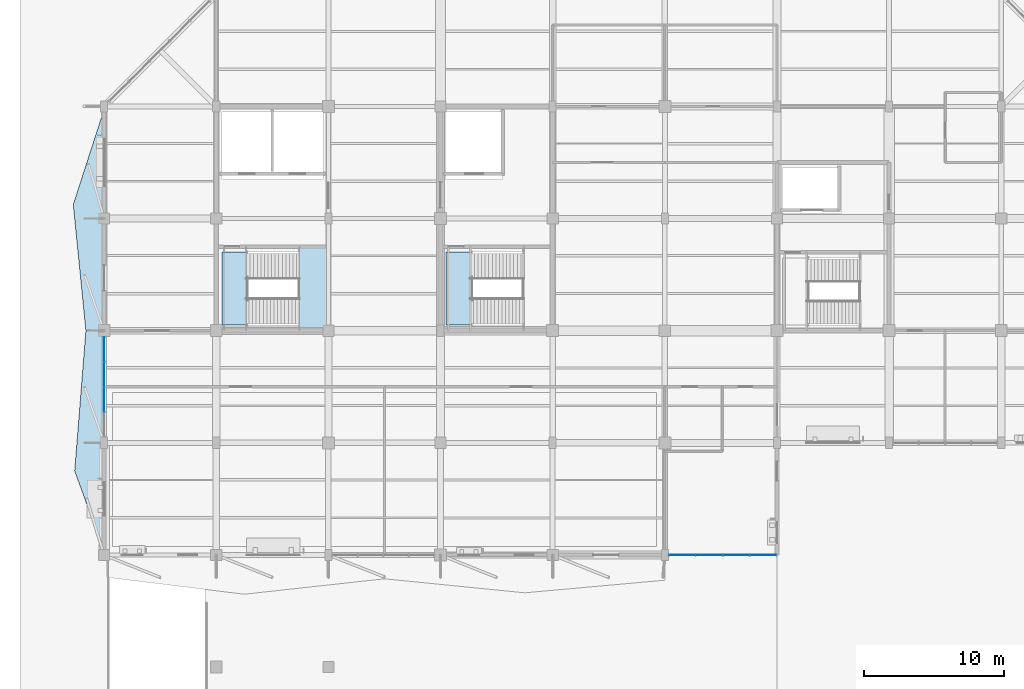
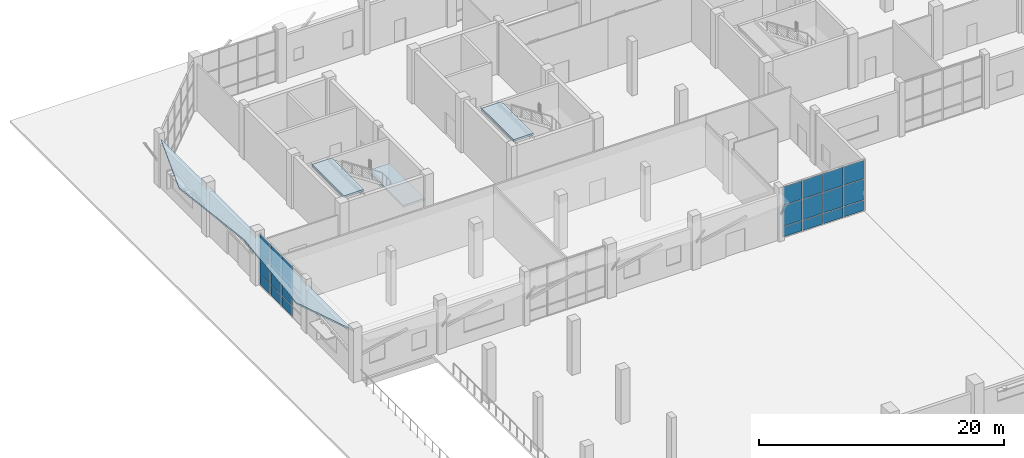
# One storey, part 75 of 123: 21 plates, 4 slabs, 4 elements without a shape of their own.
"""IFC4 building model written with IfcOpenShell, lengths in metres."""

from ifc_helpers import new_model, si_unit, direction, frame, origin, origin_2d, place, context, subcontext, project, spatial, polyline, rectangle, outline, extrude, material, layer, layer_set, type_object, element, aggregate, save


model = new_model("IFC4")

# Units and contexts
model_context = context("Model", 3, precision=1e-05, world=origin(), true_north=direction((0.0, 1.0)))
body_context = subcontext(model_context, "Body", "Model", "MODEL_VIEW")
ifc_project = project(units=[si_unit("LENGTHUNIT", "METRE"), si_unit("AREAUNIT", "SQUARE_METRE"), si_unit("VOLUMEUNIT", "CUBIC_METRE"), si_unit("PLANEANGLEUNIT", "RADIAN"), si_unit("MASSUNIT", "GRAM", prefix="KILO")], contexts=[model_context])

# Site, building, storey
site_placement = place(None, origin())
site = spatial("IfcSite", under=ifc_project, at=site_placement, CompositionType="ELEMENT")
building_placement = place(site_placement, origin())
building = spatial("IfcBuilding", under=site, at=building_placement, Name="Tenunan Teduh Sports Hall", CompositionType="ELEMENT")
storey_placement = place(building_placement, origin())
storey = spatial("IfcBuildingStorey", under=building, at=storey_placement, Name="L00", CompositionType="ELEMENT", Elevation=0.0)

# Curtain wall, plates
ifc_material_1 = material(Name="Anodised aluminium", Category="aluminium")
curtain_wall_type = type_object("IfcCurtainWallType", Name="CW-UNIT-1", PredefinedType="NOTDEFINED", material=ifc_material_1)
curtain_wall_1_placement = place(storey_placement, origin())
curtain_wall_1 = element("IfcCurtainWall", 1, at=curtain_wall_1_placement, inside=storey, type_object=curtain_wall_type, Name="CW-CWM-150-L00-191", PredefinedType="NOTDEFINED")
ifc_material_2 = material(Name="Solar-control laminated glazing", Category="glass")
ifc_layer_1 = layer(ifc_material_2, 0.031982421875)
ifc_layer_set_1 = layer_set([ifc_layer_1], Name="Solar-control laminated glazing")
plate_type_1 = type_object("IfcPlateType", Name="CWP-GLZ-32", PredefinedType="CURTAIN_PANEL", material=ifc_layer_set_1)
plate_1_placement = place(storey_placement, frame((47.233642578125, 78.0, 1.1298828125), z_axis=(0.0, 0.0, 1.0), x_axis=(1.0, 0.0, 0.0)))
plate_1 = element("IfcPlate", 2, at=plate_1_placement, type_object=plate_type_1, Name="CW-01 panel 1.2", PredefinedType="CURTAIN_PANEL", context=body_context, shape_type="SweptSolid", body=[
    extrude(rectangle(XDim=1.847412109375, YDim=0.031982421875, at=origin_2d()), origin(), (0.0, 0.0, 1.0), 2.0400390625),
])
plate_2_placement = place(storey_placement, frame((47.233642578125, 78.0, 3.22998046875), z_axis=(0.0, 0.0, 1.0), x_axis=(1.0, 0.0, 0.0)))
plate_2 = element("IfcPlate", 3, at=plate_2_placement, type_object=plate_type_1, Name="CW-01 panel 1.3", PredefinedType="CURTAIN_PANEL", context=body_context, shape_type="SweptSolid", body=[
    extrude(rectangle(XDim=1.847412109375, YDim=0.031982421875, at=origin_2d()), origin(), (0.0, 0.0, 1.0), 1.830078125),
])
plate_3_placement = place(storey_placement, frame((49.15625, 78.0, 1.1298828125), z_axis=(0.0, 0.0, 1.0), x_axis=(1.0, 0.0, 0.0)))
plate_3 = element("IfcPlate", 4, at=plate_3_placement, type_object=plate_type_1, Name="CW-01 panel 2.2", PredefinedType="CURTAIN_PANEL", context=body_context, shape_type="SweptSolid", body=[
    extrude(rectangle(XDim=1.87744140625, YDim=0.031982421875, at=origin_2d()), origin(), (0.0, 0.0, 1.0), 2.0400390625),
])
plate_4_placement = place(storey_placement, frame((49.15625, 78.0, 3.22998046875), z_axis=(0.0, 0.0, 1.0), x_axis=(1.0, 0.0, 0.0)))
plate_4 = element("IfcPlate", 5, at=plate_4_placement, type_object=plate_type_1, Name="CW-01 panel 2.3", PredefinedType="CURTAIN_PANEL", context=body_context, shape_type="SweptSolid", body=[
    extrude(rectangle(XDim=1.87744140625, YDim=0.031982421875, at=origin_2d()), origin(), (0.0, 0.0, 1.0), 1.830078125),
])
plate_5_placement = place(storey_placement, frame((51.09375, 78.0, 1.1298828125), z_axis=(0.0, 0.0, 1.0), x_axis=(1.0, 0.0, 0.0)))
plate_5 = element("IfcPlate", 6, at=plate_5_placement, type_object=plate_type_1, Name="CW-01 panel 3.2", PredefinedType="CURTAIN_PANEL", context=body_context, shape_type="SweptSolid", body=[
    extrude(rectangle(XDim=1.87744140625, YDim=0.031982421875, at=origin_2d()), origin(), (0.0, 0.0, 1.0), 2.0400390625),
])
plate_6_placement = place(storey_placement, frame((51.09375, 78.0, 3.22998046875), z_axis=(0.0, 0.0, 1.0), x_axis=(1.0, 0.0, 0.0)))
plate_6 = element("IfcPlate", 7, at=plate_6_placement, type_object=plate_type_1, Name="CW-01 panel 3.3", PredefinedType="CURTAIN_PANEL", context=body_context, shape_type="SweptSolid", body=[
    extrude(rectangle(XDim=1.87744140625, YDim=0.031982421875, at=origin_2d()), origin(), (0.0, 0.0, 1.0), 1.830078125),
])
plate_7_placement = place(storey_placement, frame((53.016357421875, 78.0, 1.1298828125), z_axis=(0.0, 0.0, 1.0), x_axis=(1.0, 0.0, 0.0)))
plate_7 = element("IfcPlate", 8, at=plate_7_placement, type_object=plate_type_1, Name="CW-01 panel 4.2", PredefinedType="CURTAIN_PANEL", context=body_context, shape_type="SweptSolid", body=[
    extrude(rectangle(XDim=1.847412109375, YDim=0.031982421875, at=origin_2d()), origin(), (0.0, 0.0, 1.0), 2.0400390625),
])
plate_8_placement = place(storey_placement, frame((53.016357421875, 78.0, 3.22998046875), z_axis=(0.0, 0.0, 1.0), x_axis=(1.0, 0.0, 0.0)))
plate_8 = element("IfcPlate", 9, at=plate_8_placement, type_object=plate_type_1, Name="CW-01 panel 4.3", PredefinedType="CURTAIN_PANEL", context=body_context, shape_type="SweptSolid", body=[
    extrude(rectangle(XDim=1.847412109375, YDim=0.031982421875, at=origin_2d()), origin(), (0.0, 0.0, 1.0), 1.830078125),
])

curtain_wall_2_placement = place(storey_placement, origin())
curtain_wall_2 = element("IfcCurtainWall", 10, at=curtain_wall_2_placement, inside=storey, type_object=curtain_wall_type, Name="CW-CWM-150-L00-199", PredefinedType="NOTDEFINED")
plate_9_placement = place(storey_placement, frame((6.0, 89.090576171875, 1.1298828125), z_axis=(0.0, 0.0, 1.0), x_axis=(0.0, 1.0, 0.0)))
plate_9 = element("IfcPlate", 11, at=plate_9_placement, type_object=plate_type_1, Name="CW-01 panel 2.2", PredefinedType="CURTAIN_PANEL", context=body_context, shape_type="SweptSolid", body=[
    extrude(rectangle(XDim=1.733642578125, YDim=0.031982421875, at=origin_2d()), origin(), (0.0, 0.0, 1.0), 2.0400390625),
])
plate_10_placement = place(storey_placement, frame((6.0, 89.090576171875, 3.22998046875), z_axis=(0.0, 0.0, 1.0), x_axis=(0.0, 1.0, 0.0)))
plate_10 = element("IfcPlate", 12, at=plate_10_placement, type_object=plate_type_1, Name="CW-01 panel 2.3", PredefinedType="CURTAIN_PANEL", context=body_context, shape_type="SweptSolid", body=[
    extrude(rectangle(XDim=1.733642578125, YDim=0.031982421875, at=origin_2d()), origin(), (0.0, 0.0, 1.0), 1.830078125),
])
plate_11_placement = place(storey_placement, frame((6.0, 90.88427734375, 1.1298828125), z_axis=(0.0, 0.0, 1.0), x_axis=(0.0, 1.0, 0.0)))
plate_11 = element("IfcPlate", 13, at=plate_11_placement, type_object=plate_type_1, Name="CW-01 panel 3.2", PredefinedType="CURTAIN_PANEL", context=body_context, shape_type="SweptSolid", body=[
    extrude(rectangle(XDim=1.733642578125, YDim=0.031982421875, at=origin_2d()), origin(), (0.0, 0.0, 1.0), 2.0400390625),
])
plate_12_placement = place(storey_placement, frame((6.0, 90.88427734375, 3.22998046875), z_axis=(0.0, 0.0, 1.0), x_axis=(0.0, 1.0, 0.0)))
plate_12 = element("IfcPlate", 14, at=plate_12_placement, type_object=plate_type_1, Name="CW-01 panel 3.3", PredefinedType="CURTAIN_PANEL", context=body_context, shape_type="SweptSolid", body=[
    extrude(rectangle(XDim=1.733642578125, YDim=0.031982421875, at=origin_2d()), origin(), (0.0, 0.0, 1.0), 1.830078125),
])
plate_13_placement = place(storey_placement, frame((6.0, 92.6630859375, 1.1298828125), z_axis=(0.0, 0.0, 1.0), x_axis=(0.0, 1.0, 0.0)))
plate_13 = element("IfcPlate", 15, at=plate_13_placement, type_object=plate_type_1, Name="CW-01 panel 4.2", PredefinedType="CURTAIN_PANEL", context=body_context, shape_type="SweptSolid", body=[
    extrude(rectangle(XDim=1.703857421875, YDim=0.031982421875, at=origin_2d()), origin(), (0.0, 0.0, 1.0), 2.0400390625),
])
plate_14_placement = place(storey_placement, frame((6.0, 92.6630859375, 3.22998046875), z_axis=(0.0, 0.0, 1.0), x_axis=(0.0, 1.0, 0.0)))
plate_14 = element("IfcPlate", 16, at=plate_14_placement, type_object=plate_type_1, Name="CW-01 panel 4.3", PredefinedType="CURTAIN_PANEL", context=body_context, shape_type="SweptSolid", body=[
    extrude(rectangle(XDim=1.703857421875, YDim=0.031982421875, at=origin_2d()), origin(), (0.0, 0.0, 1.0), 1.830078125),
])

# Plate
ifc_material_3 = material(Name="Insulated aluminium spandrel panel", Category="aluminium")
ifc_layer_2 = layer(ifc_material_3, 0.044921875)
ifc_layer_set_2 = layer_set([ifc_layer_2], Name="Insulated aluminium spandrel panel")
plate_type_2 = type_object("IfcPlateType", Name="CWP-SPN-45", PredefinedType="CURTAIN_PANEL", material=ifc_layer_set_2)
plate_15_placement = place(storey_placement, frame((47.233642578125, 78.0, 0.06005859375), z_axis=(0.0, 0.0, 1.0), x_axis=(1.0, 0.0, 0.0)))
plate_15 = element("IfcPlate", 17, at=plate_15_placement, type_object=plate_type_2, Name="CW-01 panel 1.1", PredefinedType="CURTAIN_PANEL", context=body_context, shape_type="SweptSolid", body=[
    extrude(rectangle(XDim=1.847412109375, YDim=0.031982421875, at=origin_2d()), origin(), (0.0, 0.0, 1.0), 1.010009765625),
])

plate_16_placement = place(storey_placement, frame((49.15625, 78.0, 0.06005859375), z_axis=(0.0, 0.0, 1.0), x_axis=(1.0, 0.0, 0.0)))
plate_16 = element("IfcPlate", 18, at=plate_16_placement, type_object=plate_type_2, Name="CW-01 panel 2.1", PredefinedType="CURTAIN_PANEL", context=body_context, shape_type="SweptSolid", body=[
    extrude(rectangle(XDim=1.87744140625, YDim=0.031982421875, at=origin_2d()), origin(), (0.0, 0.0, 1.0), 1.010009765625),
])

plate_17_placement = place(storey_placement, frame((51.09375, 78.0, 0.06005859375), z_axis=(0.0, 0.0, 1.0), x_axis=(1.0, 0.0, 0.0)))
plate_17 = element("IfcPlate", 19, at=plate_17_placement, type_object=plate_type_2, Name="CW-01 panel 3.1", PredefinedType="CURTAIN_PANEL", context=body_context, shape_type="SweptSolid", body=[
    extrude(rectangle(XDim=1.87744140625, YDim=0.031982421875, at=origin_2d()), origin(), (0.0, 0.0, 1.0), 1.010009765625),
])

plate_18_placement = place(storey_placement, frame((53.016357421875, 78.0, 0.06005859375), z_axis=(0.0, 0.0, 1.0), x_axis=(1.0, 0.0, 0.0)))
plate_18 = element("IfcPlate", 20, at=plate_18_placement, type_object=plate_type_2, Name="CW-01 panel 4.1", PredefinedType="CURTAIN_PANEL", context=body_context, shape_type="SweptSolid", body=[
    extrude(rectangle(XDim=1.847412109375, YDim=0.031982421875, at=origin_2d()), origin(), (0.0, 0.0, 1.0), 1.010009765625),
])

aggregate(curtain_wall_1, [plate_15, plate_1, plate_2, plate_16, plate_3, plate_4, plate_17, plate_5, plate_6, plate_18, plate_7, plate_8])

plate_19_placement = place(storey_placement, frame((6.0, 89.090576171875, 0.06005859375), z_axis=(0.0, 0.0, 1.0), x_axis=(0.0, 1.0, 0.0)))
plate_19 = element("IfcPlate", 21, at=plate_19_placement, type_object=plate_type_2, Name="CW-01 panel 2.1", PredefinedType="CURTAIN_PANEL", context=body_context, shape_type="SweptSolid", body=[
    extrude(rectangle(XDim=1.733642578125, YDim=0.031982421875, at=origin_2d()), origin(), (0.0, 0.0, 1.0), 1.010009765625),
])

plate_20_placement = place(storey_placement, frame((6.0, 90.88427734375, 0.06005859375), z_axis=(0.0, 0.0, 1.0), x_axis=(0.0, 1.0, 0.0)))
plate_20 = element("IfcPlate", 22, at=plate_20_placement, type_object=plate_type_2, Name="CW-01 panel 3.1", PredefinedType="CURTAIN_PANEL", context=body_context, shape_type="SweptSolid", body=[
    extrude(rectangle(XDim=1.733642578125, YDim=0.031982421875, at=origin_2d()), origin(), (0.0, 0.0, 1.0), 1.010009765625),
])

plate_21_placement = place(storey_placement, frame((6.0, 92.6630859375, 0.06005859375), z_axis=(0.0, 0.0, 1.0), x_axis=(0.0, 1.0, 0.0)))
plate_21 = element("IfcPlate", 23, at=plate_21_placement, type_object=plate_type_2, Name="CW-01 panel 4.1", PredefinedType="CURTAIN_PANEL", context=body_context, shape_type="SweptSolid", body=[
    extrude(rectangle(XDim=1.703857421875, YDim=0.031982421875, at=origin_2d()), origin(), (0.0, 0.0, 1.0), 1.010009765625),
])

aggregate(curtain_wall_2, [plate_19, plate_9, plate_10, plate_20, plate_11, plate_12, plate_21, plate_13, plate_14])

# Stair, slabs
ifc_material_4 = material(Name="Precast concrete C40/50", Category="concrete")
stair_type = type_object("IfcStairType", Name="STR-CORE-54", PredefinedType="HALF_TURN_STAIR", material=ifc_material_4)
stair_1_placement = place(storey_placement, origin())
stair_1 = element("IfcStair", 24, at=stair_1_placement, inside=storey, type_object=stair_type, Name="STR-W1-L00", PredefinedType="HALF_TURN_STAIR")
ifc_material_5 = material(Name="Precast concrete C40/50", Category="concrete")
ifc_layer_3 = layer(ifc_material_5, 0.199951171875)
ifc_layer_set_3 = layer_set([ifc_layer_3], Name="Precast concrete C40/50")
slab_type_1 = type_object("IfcSlabType", Name="SLB-LND-200", PredefinedType="LANDING", material=ifc_layer_set_3)
slab_1_placement = place(storey_placement, frame((0.0, 0.0, 2.5)))
slab_1 = element("IfcSlab", 25, at=slab_1_placement, type_object=slab_type_1, Name="ST-02 landing 1", PredefinedType="LANDING", context=body_context, shape_type="SweptSolid", body=[
    extrude(outline(polyline([(19.864990234375, 94.139892578125), (21.860107421875, 94.139892578125), (21.860107421875, 99.89990234375), (19.864990234375, 99.89990234375), (19.864990234375, 94.139892578125)])), origin(), (0.0, 0.0, 1.0), 0.199951171875),
])
slab_2_placement = place(storey_placement, frame((0.0, 0.0, 5.199951171875)))
slab_2 = element("IfcSlab", 26, at=slab_2_placement, type_object=slab_type_1, Name="ST-02 landing 2", PredefinedType="LANDING", context=body_context, shape_type="SweptSolid", body=[
    extrude(outline(polyline([(14.39990234375, 94.39990234375), (16.280029296875, 94.39990234375), (16.280029296875, 99.60009765625), (14.39990234375, 99.60009765625), (14.39990234375, 94.39990234375)])), origin(), (0.0, 0.0, 1.0), 0.199951171875),
])
aggregate(stair_1, [slab_1, slab_2])

# Stair, slab
stair_2_placement = place(storey_placement, origin())
stair_2 = element("IfcStair", 27, at=stair_2_placement, inside=storey, type_object=stair_type, Name="STR-W2-L00", PredefinedType="HALF_TURN_STAIR")
slab_3_placement = place(storey_placement, frame((0.0, 0.0, 5.199951171875)))
slab_3 = element("IfcSlab", 28, at=slab_3_placement, type_object=slab_type_1, Name="ST-07 landing 2", PredefinedType="LANDING", context=body_context, shape_type="SweptSolid", body=[
    extrude(outline(polyline([(30.39990234375, 94.39990234375), (32.280029296875, 94.39990234375), (32.280029296875, 99.60009765625), (30.39990234375, 99.60009765625), (30.39990234375, 94.39990234375)])), origin(), (0.0, 0.0, 1.0), 0.199951171875),
])
aggregate(stair_2, [slab_3])

# Slab
ifc_material_6 = material(Name="Concrete C40/50", Category="concrete")
ifc_layer_4 = layer(ifc_material_6, 0.159912109375)
ifc_layer_set_4 = layer_set([ifc_layer_4], Name="Concrete C40/50")
slab_type_2 = type_object("IfcSlabType", Name="SLB-ROOF-160", PredefinedType="ROOF", material=ifc_layer_set_4)
slab_4_placement = place(storey_placement, frame((0.0, 0.0, 4.590087890625)))
element("IfcSlab", 29, at=slab_4_placement, inside=storey, type_object=slab_type_2, Name="Window Head Sun-Shade Hood SHD-RIB-V5W-W-L00", PredefinedType="ROOF", context=body_context, shape_type="SweptSolid", body=[
    extrude(outline(polyline([(6.0, 78.199951171875), (3.89990234375, 84.0), (4.699951171875, 94.0), (3.800048828125, 103.0), (6.0, 109.800048828125), (6.0, 78.199951171875)])), origin(), (0.0, 0.0, 1.0), 0.159912109375),
])

save(model, "model.ifc")
